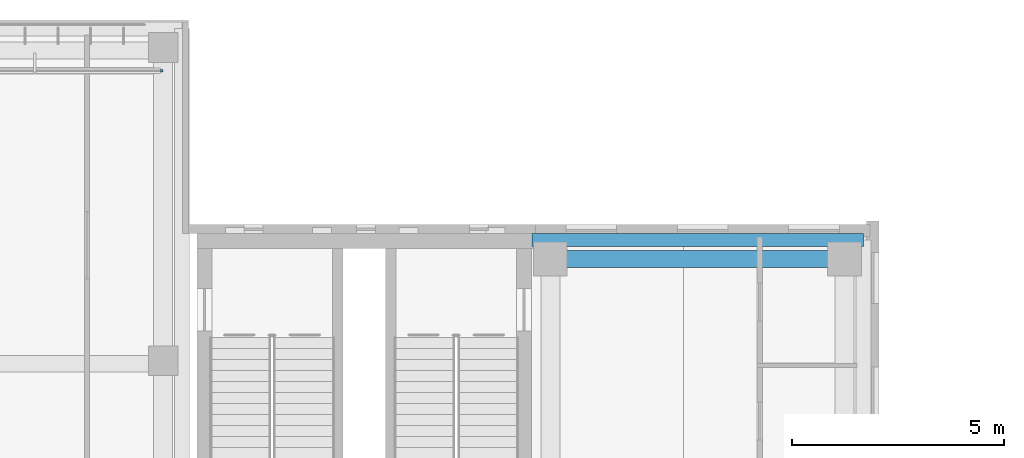
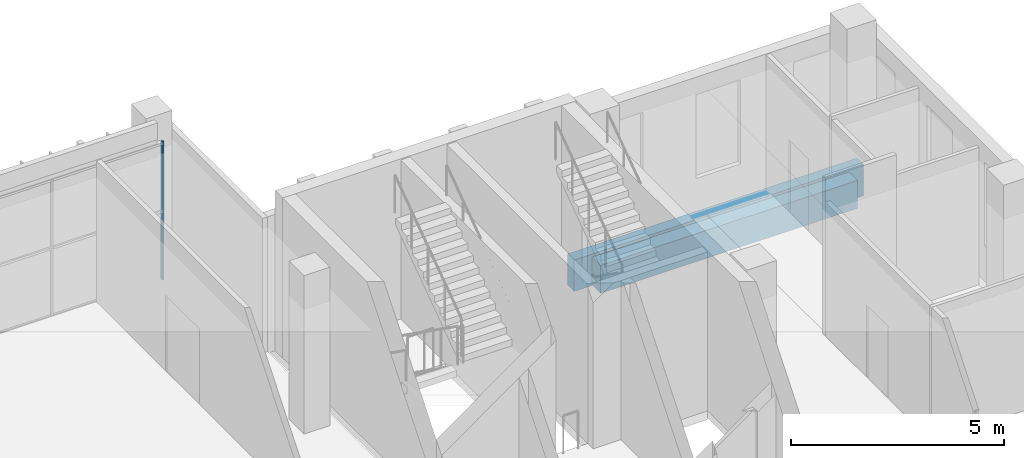
# One storey, part 35 of 73: 2 beams, 1 member, 1 element without a shape of its own.
"""IFC4 building model written with IfcOpenShell, lengths in metres."""

from ifc_helpers import new_model, si_unit, direction, frame, origin, origin_2d, place, context, subcontext, project, spatial, rectangle, extrude, material, material_profile, profile_set, type_object, element, aggregate, save


model = new_model("IFC4")

# Units and contexts
model_context = context("Model", 3, precision=1e-05, world=origin(), true_north=direction((0.0, 1.0)))
body_context = subcontext(model_context, "Body", "Model", "MODEL_VIEW")
ifc_project = project(units=[si_unit("LENGTHUNIT", "METRE"), si_unit("AREAUNIT", "SQUARE_METRE"), si_unit("VOLUMEUNIT", "CUBIC_METRE"), si_unit("PLANEANGLEUNIT", "RADIAN"), si_unit("MASSUNIT", "GRAM", prefix="KILO")], contexts=[model_context])

# Site, building, storey
site_placement = place(None, origin())
site = spatial("IfcSite", under=ifc_project, at=site_placement, CompositionType="ELEMENT")
building_placement = place(site_placement, origin())
building = spatial("IfcBuilding", under=site, at=building_placement, Name="Lantern Court Media Centre", CompositionType="ELEMENT")
storey_placement = place(building_placement, frame((0.0, 0.0, 24.0)))
storey = spatial("IfcBuildingStorey", under=building, at=storey_placement, Name="L05", CompositionType="ELEMENT", Elevation=24.0)

# Curtain wall, member
ifc_material_1 = material(Name="Curtain wall bay 3000")
curtain_wall_type = type_object("IfcCurtainWallType", Name="Curtain wall bay 3000", PredefinedType="NOTDEFINED", material=ifc_material_1)
curtain_wall_placement = place(storey_placement, origin())
curtain_wall = element("IfcCurtainWall", 1, at=curtain_wall_placement, inside=storey, type_object=curtain_wall_type, Name="Curtain wall N outer L05", PredefinedType="NOTDEFINED")
ifc_material_2 = material(Name="Anodised aluminium", Category="aluminium")
ifc_material_profile_1 = material_profile(ifc_material_2, rectangle(XDim=0.06005859375, YDim=0.06005859375, at=origin_2d()), Name="AL 60x60")
ifc_profile_set_1 = profile_set([ifc_material_profile_1], Name="Anodised aluminium")
member_type = type_object("IfcMemberType", Name="Curtain wall mullion 60x60", PredefinedType="MULLION", material=ifc_profile_set_1)
member_placement = place(storey_placement, frame((79.27001953125, 115.85009765625, 0.0), z_axis=(0.0, 0.0, 1.0), x_axis=(0.0, 1.0, 0.0)))
member = element("IfcMember", 2, at=member_placement, type_object=member_type, Name="CW1 mullion 19", PredefinedType="MULLION", context=body_context, shape_type="SweptSolid", body=[
    extrude(rectangle(XDim=0.06005859375, YDim=0.06005859375, at=origin_2d()), origin(), (0.0, 0.0, 1.0), 3.949951171875),
])
aggregate(curtain_wall, [member])

# Beams
ifc_material_3 = material(Name="Concrete C35", Category="concrete")
ifc_material_profile_2 = material_profile(ifc_material_3, rectangle(XDim=0.300048828125, YDim=0.89990234375, at=origin_2d()), Name="RC 300x900")
ifc_profile_set_2 = profile_set([ifc_material_profile_2], Name="Concrete C35")
beam_type_1 = type_object("IfcBeamType", Name="RC BEAM 300x900", PredefinedType="BEAM", material=ifc_profile_set_2)
beam_1_placement = place(storey_placement, frame((88.02001953125, 111.85009765625, -0.449951171875), z_axis=(1.0, 0.0, 0.0), x_axis=(0.0, 1.0, 0.0)))
element("IfcBeam", 3, at=beam_1_placement, inside=storey, type_object=beam_type_1, Name="EB-NE-L05-N", PredefinedType="BEAM", context=body_context, shape_type="SweptSolid", body=[
    extrude(rectangle(XDim=0.300048828125, YDim=0.89990234375, at=origin_2d()), origin(), (0.0, 0.0, 1.0), 7.830078125),
])
ifc_material_profile_3 = material_profile(ifc_material_3, rectangle(XDim=0.39990234375, YDim=0.800048828125, at=origin_2d()), Name="RC 400x800")
ifc_profile_set_3 = profile_set([ifc_material_profile_3], Name="Concrete C35")
beam_type_2 = type_object("IfcBeamType", Name="RC BEAM 400x800", PredefinedType="BEAM", material=ifc_profile_set_3)
beam_2_placement = place(storey_placement, frame((88.449951171875, 111.39990234375, -0.39990234375), z_axis=(1.0, 0.0, 0.0), x_axis=(0.0, 1.0, 0.0)))
element("IfcBeam", 4, at=beam_2_placement, inside=storey, type_object=beam_type_2, Name="BB-NE-L05-Y0-111", PredefinedType="BEAM", context=body_context, shape_type="SweptSolid", body=[
    extrude(rectangle(XDim=0.39990234375, YDim=0.800048828125, at=origin_2d()), origin(), (0.0, 0.0, 1.0), 6.949951171875),
])

save(model, "model.ifc")
